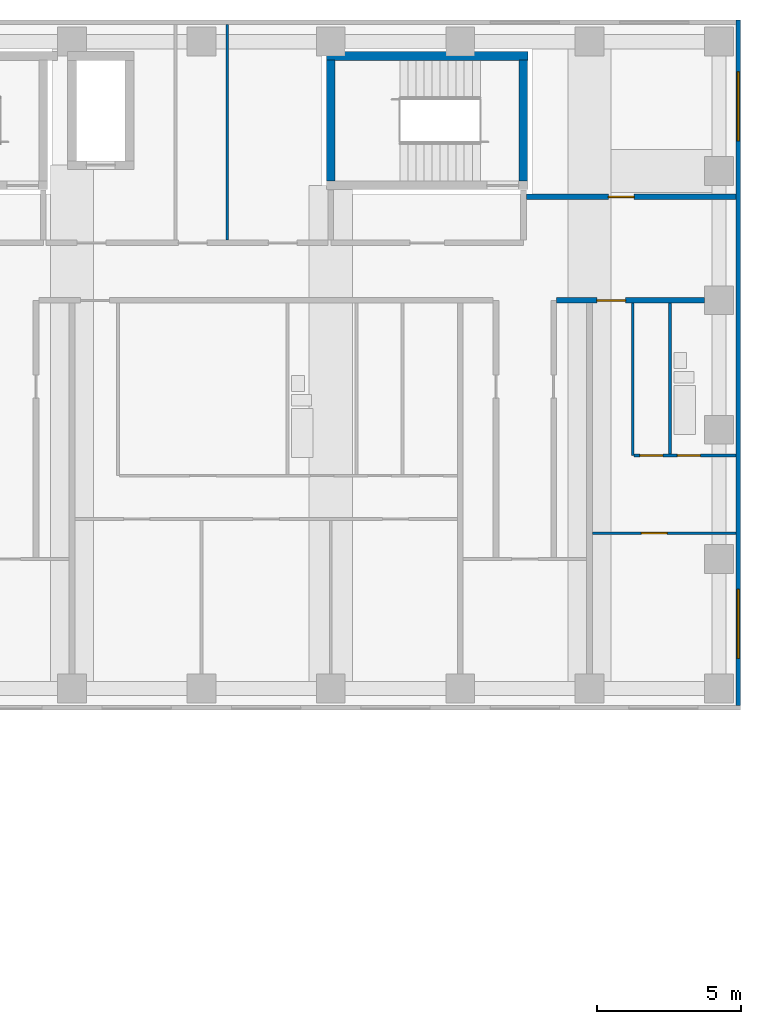
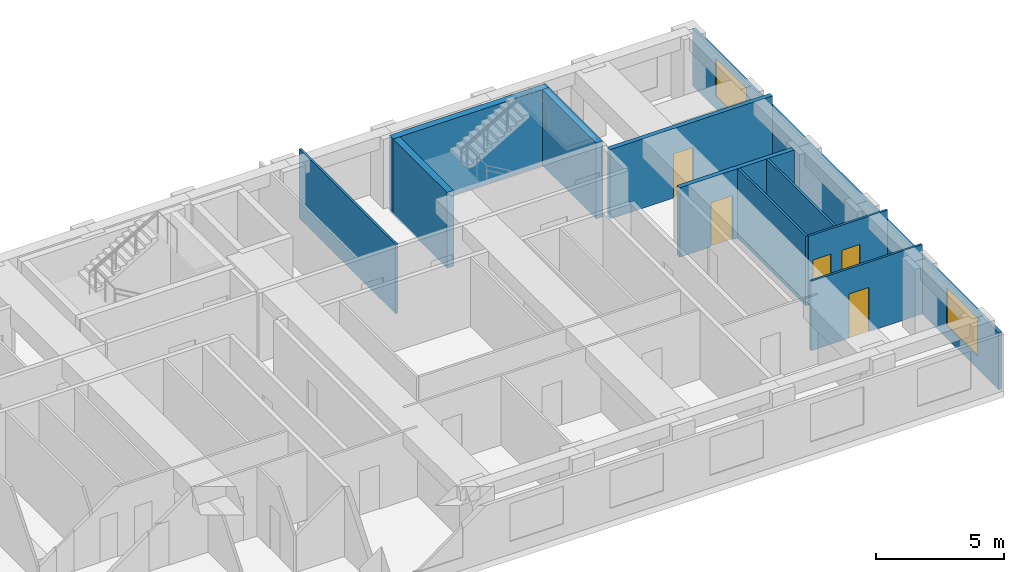
# One storey, part 9 of 12: 11 walls, 5 doors, 2 windows, 7 openings.
"""IFC4 building model written with IfcOpenShell, lengths in metres."""

from ifc_helpers import new_model, si_unit, direction, frame, frame_2d, origin, place, context, subcontext, project, spatial, rectangle, extrude, material, layer, layer_set, type_object, element, fill, save


model = new_model("IFC4")

# Units and contexts
model_context = context("Model", 3, precision=1e-05, world=origin(), true_north=direction((0.0, 1.0)))
body_context = subcontext(model_context, "Body", "Model", "MODEL_VIEW")
ifc_project = project(units=[si_unit("LENGTHUNIT", "METRE"), si_unit("AREAUNIT", "SQUARE_METRE"), si_unit("VOLUMEUNIT", "CUBIC_METRE"), si_unit("PLANEANGLEUNIT", "RADIAN"), si_unit("MASSUNIT", "GRAM", prefix="KILO")], contexts=[model_context])

# Site, building, storey
site_placement = place(None, origin())
site = spatial("IfcSite", under=ifc_project, at=site_placement, CompositionType="ELEMENT")
building_placement = place(site_placement, origin())
building = spatial("IfcBuilding", under=site, at=building_placement, Name="Firuza Court", CompositionType="ELEMENT")
storey_placement = place(building_placement, frame((0.0, 0.0, 155.60009765625)))
storey = spatial("IfcBuildingStorey", under=building, at=storey_placement, Name="L39", CompositionType="ELEMENT", Elevation=155.60009765625)

# Walls
ifc_material_1 = material(Name="Moisture-resistant gypsum board partition")
ifc_layer_1 = layer(ifc_material_1, 0.10009765625)
ifc_layer_set_1 = layer_set([ifc_layer_1], Name="Moisture-resistant gypsum board partition")
wall_type_1 = type_object("IfcWallType", Name="Bathroom partition 100", PredefinedType="PLUMBINGWALL", material=ifc_layer_set_1)
wall_1_placement = place(storey_placement, frame((65.800048828125, 44.14990234375, 0.0), z_axis=(0.0, 0.0, 1.0), x_axis=(0.0, 1.0, 0.0)))
element("IfcWall", 1, at=wall_1_placement, inside=storey, type_object=wall_type_1, Name="Bathroom partition 100 L39", PredefinedType="PLUMBINGWALL", context=body_context, shape_type="SweptSolid", body=[
    extrude(rectangle(XDim=5.25, YDim=0.10009765625, at=frame_2d((2.625, 0.0))), origin(), (0.0, 0.0, 1.0), 3.2998046875),
])
ifc_material_2 = material(Name="Concrete C60/75", Category="concrete")
ifc_layer_2 = layer(ifc_material_2, 0.300048828125)
ifc_layer_set_2 = layer_set([ifc_layer_2], Name="Concrete C60/75")
wall_type_2 = type_object("IfcWallType", Name="Core wall 300 C60/75", PredefinedType="SHEAR", material=ifc_layer_set_2)
wall_2_placement = place(storey_placement, frame((53.85009765625, 58.0, -0.300048828125), z_axis=(0.0, 0.0, 1.0), x_axis=(1.0, 0.0, 0.0)))
element("IfcWall", 2, at=wall_2_placement, inside=storey, type_object=wall_type_2, Name="Core wall stair L39", PredefinedType="SHEAR", context=body_context, shape_type="SweptSolid", body=[
    extrude(rectangle(XDim=7.0, YDim=0.300048828125, at=frame_2d((3.5, 0.0))), origin(), (0.0, 0.0, 1.0), 3.599853515625),
])
for number, where, z_axis, x_axis, name in (
    (3, (54.0, 53.64990234375, -0.300048828125), (0.0, 0.0, 1.0), (0.0, 1.0, 0.0), "Core wall stair L39"),
    (4, (60.699951171875, 53.64990234375, -0.300048828125), (0.0, 0.0, 1.0), (0.0, 1.0, 0.0), "Core wall stair L39"),
):
    element("IfcWall", number, at=place(storey_placement, frame(where, z_axis=z_axis, x_axis=x_axis)), inside=storey, type_object=wall_type_2, Name=name, PredefinedType="SHEAR", context=body_context, shape_type="SweptSolid", body=[
        extrude(rectangle(XDim=4.2001953125, YDim=0.300048828125, at=frame_2d((2.10009765625, 0.0))), origin(), (0.0, 0.0, 1.0), 3.599853515625),
    ])

# Wall, opening, door
ifc_material_3 = material(Name="Blockwork, plastered both sides", Category="masonry")
ifc_layer_3 = layer(ifc_material_3, 0.199951171875)
ifc_layer_set_3 = layer_set([ifc_layer_3], Name="Blockwork, plastered both sides")
wall_type_3 = type_object("IfcWallType", Name="Corridor wall 200", PredefinedType="PARTITIONING", material=ifc_layer_set_3)
wall_3_placement = place(storey_placement, frame((61.85009765625, 49.5, 0.0), z_axis=(0.0, 0.0, 1.0), x_axis=(1.0, 0.0, 0.0)))
wall_3 = element("IfcWall", 5, at=wall_3_placement, inside=storey, type_object=wall_type_3, Name="Corridor wall 200 L39", PredefinedType="PARTITIONING", context=body_context, shape_type="SweptSolid", body=[
    extrude(rectangle(XDim=5.14990234375, YDim=0.199951171875, at=frame_2d((2.574951171875, 0.0))), origin(), (0.0, 0.0, 1.0), 3.2998046875),
])
opening_1_placement = place(wall_3_placement, frame((1.39990234375, 0.0, 0.0)))
opening_1 = element("IfcOpeningElement", 6, at=opening_1_placement, cuts=wall_3, Name="Opening D39069", PredefinedType="OPENING", context=body_context, shape_type="SweptSolid", body=[
    extrude(rectangle(XDim=1.0, YDim=2.10009765625, at=frame_2d((0.5, 1.050048828125))), frame((0.0, 0.11181640625, 0.0), z_axis=(0.0, -1.0, 0.0), x_axis=(1.0, 0.0, 0.0)), (0.0, 0.0, 1.0), 0.223876953125),
])
ifc_material_4 = material(Name="Timber door leaf in hardwood frame", Category="wood")
door_type_1 = type_object("IfcDoorType", Name="Flat entrance door 1000", OperationType="SINGLE_SWING_LEFT", PredefinedType="DOOR", material=ifc_material_4)
door_1_placement = place(opening_1_placement, origin())
door_1 = element("IfcDoor", 7, at=door_1_placement, inside=storey, type_object=door_type_1, Name="Flat entrance door", OperationType="SINGLE_SWING_RIGHT", OverallHeight=2.10009765625, OverallWidth=1.0, PredefinedType="DOOR", context=body_context, shape_type="SweptSolid", body=[
    extrude(rectangle(XDim=1.0, YDim=2.10009765625, at=frame_2d((0.5, 1.050048828125))), frame((0.0, 0.02490234375, 0.0), z_axis=(0.0, -1.0, 0.0), x_axis=(1.0, 0.0, 0.0)), (0.0, 0.0, 1.0), 0.050048828125),
])
fill(opening_1, door_1)

wall_4_placement = place(storey_placement, frame((60.800048828125, 53.10009765625, 0.0), z_axis=(0.0, 0.0, 1.0), x_axis=(1.0, 0.0, 0.0)))
wall_4 = element("IfcWall", 8, at=wall_4_placement, inside=storey, type_object=wall_type_3, Name="Corridor wall 200 L39", PredefinedType="PARTITIONING", context=body_context, shape_type="SweptSolid", body=[
    extrude(rectangle(XDim=7.300048828125, YDim=0.199951171875, at=frame_2d((3.64990234375, 0.0))), origin(), (0.0, 0.0, 1.0), 3.2998046875),
])
opening_2_placement = place(wall_4_placement, frame((2.85009765625, 0.0, 0.0)))
opening_2 = element("IfcOpeningElement", 9, at=opening_2_placement, cuts=wall_4, Name="Opening D39079", PredefinedType="OPENING", context=body_context, shape_type="SweptSolid", body=[
    extrude(rectangle(XDim=0.89990234375, YDim=2.10009765625, at=frame_2d((0.449951171875, 1.050048828125))), frame((0.0, 0.11181640625, 0.0), z_axis=(0.0, -1.0, 0.0), x_axis=(1.0, 0.0, 0.0)), (0.0, 0.0, 1.0), 0.223876953125),
])
ifc_material_5 = material(Name="Timber door leaf in hardwood frame", Category="wood")
door_type_2 = type_object("IfcDoorType", Name="Room door 900 EI 30", OperationType="SINGLE_SWING_LEFT", PredefinedType="DOOR", material=ifc_material_5)
door_2_placement = place(opening_2_placement, origin())
door_2 = element("IfcDoor", 10, at=door_2_placement, inside=storey, type_object=door_type_2, Name="Residents' workroom door", OperationType="SINGLE_SWING_LEFT", OverallHeight=2.10009765625, OverallWidth=0.89990234375, PredefinedType="DOOR", context=body_context, shape_type="SweptSolid", body=[
    extrude(rectangle(XDim=0.89990234375, YDim=2.10009765625, at=frame_2d((0.449951171875, 1.050048828125))), frame((0.0, 0.02490234375, 0.0), z_axis=(0.0, -1.0, 0.0), x_axis=(1.0, 0.0, 0.0)), (0.0, 0.0, 1.0), 0.050048828125),
])
fill(opening_2, door_2)

ifc_material_6 = material(Name="Timber stud partition, plasterboard both sides", Category="wood")
ifc_layer_4 = layer(ifc_material_6, 0.10009765625)
ifc_layer_set_4 = layer_set([ifc_layer_4], Name="Timber stud partition, plasterboard both sides")
wall_type_4 = type_object("IfcWallType", Name="Partition wall 100", PredefinedType="PARTITIONING", material=ifc_layer_set_4)
wall_5_placement = place(storey_placement, frame((63.10009765625, 41.39990234375, 0.0), z_axis=(0.0, 0.0, 1.0), x_axis=(1.0, 0.0, 0.0)))
wall_5 = element("IfcWall", 11, at=wall_5_placement, inside=storey, type_object=wall_type_4, Name="Partition wall 100 L39", PredefinedType="PARTITIONING", context=body_context, shape_type="SweptSolid", body=[
    extrude(rectangle(XDim=5.0, YDim=0.10009765625, at=frame_2d((2.5, 0.0))), origin(), (0.0, 0.0, 1.0), 3.2998046875),
])
opening_3_placement = place(wall_5_placement, frame((1.699951171875, 0.0, 0.0)))
opening_3 = element("IfcOpeningElement", 12, at=opening_3_placement, cuts=wall_5, Name="Opening D39049", PredefinedType="OPENING", context=body_context, shape_type="SweptSolid", body=[
    extrude(rectangle(XDim=0.89990234375, YDim=2.10009765625, at=frame_2d((0.449951171875, 1.050048828125))), frame((0.0, 0.06201171875, 0.0), z_axis=(0.0, -1.0, 0.0), x_axis=(1.0, 0.0, 0.0)), (0.0, 0.0, 1.0), 0.1240234375),
])
ifc_material_7 = material(Name="Timber door leaf in hardwood frame", Category="wood")
door_type_3 = type_object("IfcDoorType", Name="Room door 900", OperationType="SINGLE_SWING_LEFT", PredefinedType="DOOR", material=ifc_material_7)
door_3_placement = place(opening_3_placement, frame((0.89990234375, 0.0, 0.0), z_axis=(0.0, 0.0, 1.0), x_axis=(-1.0, 0.0, 0.0)))
door_3 = element("IfcDoor", 13, at=door_3_placement, inside=storey, type_object=door_type_3, Name="Studio room door", OperationType="SINGLE_SWING_RIGHT", OverallHeight=2.10009765625, OverallWidth=0.89990234375, PredefinedType="DOOR", context=body_context, shape_type="SweptSolid", body=[
    extrude(rectangle(XDim=0.89990234375, YDim=2.10009765625, at=frame_2d((0.449951171875, 1.050048828125))), frame((0.0, 0.02490234375, 0.0), z_axis=(0.0, -1.0, 0.0), x_axis=(1.0, 0.0, 0.0)), (0.0, 0.0, 1.0), 0.050048828125),
])
fill(opening_3, door_3)

# Wall
wall_6_placement = place(storey_placement, frame((64.5, 44.10009765625, 0.0), z_axis=(0.0, 0.0, 1.0), x_axis=(0.0, 1.0, 0.0)))
element("IfcWall", 14, at=wall_6_placement, inside=storey, type_object=wall_type_4, Name="Partition wall 100 L39", PredefinedType="PARTITIONING", context=body_context, shape_type="SweptSolid", body=[
    extrude(rectangle(XDim=5.2998046875, YDim=0.10009765625, at=frame_2d((2.64990234375, 0.0))), origin(), (0.0, 0.0, 1.0), 3.2998046875),
])

# Wall, openings, doors
wall_7_placement = place(storey_placement, frame((64.550048828125, 44.10009765625, 0.0), z_axis=(0.0, 0.0, 1.0), x_axis=(1.0, 0.0, 0.0)))
wall_7 = element("IfcWall", 15, at=wall_7_placement, inside=storey, type_object=wall_type_4, Name="Partition wall 100 L39", PredefinedType="PARTITIONING", context=body_context, shape_type="SweptSolid", body=[
    extrude(rectangle(XDim=3.550048828125, YDim=0.10009765625, at=frame_2d((1.77490234375, 0.0))), origin(), (0.0, 0.0, 1.0), 3.2998046875),
])
opening_4_placement = place(wall_7_placement, frame((1.5, 0.0, 0.0)))
opening_4 = element("IfcOpeningElement", 16, at=opening_4_placement, cuts=wall_7, Name="Opening D39064", PredefinedType="OPENING", context=body_context, shape_type="SweptSolid", body=[
    extrude(rectangle(XDim=0.800048828125, YDim=2.10009765625, at=frame_2d((0.39990234375, 1.050048828125))), frame((0.0, 0.06201171875, 0.0), z_axis=(0.0, -1.0, 0.0), x_axis=(1.0, 0.0, 0.0)), (0.0, 0.0, 1.0), 0.1240234375),
])
opening_5_placement = place(wall_7_placement, frame((0.199951171875, 0.0, 0.0)))
opening_5 = element("IfcOpeningElement", 17, at=opening_5_placement, cuts=wall_7, Name="Opening D39065", PredefinedType="OPENING", context=body_context, shape_type="SweptSolid", body=[
    extrude(rectangle(XDim=0.800048828125, YDim=2.10009765625, at=frame_2d((0.39990234375, 1.050048828125))), frame((0.0, 0.06201171875, 0.0), z_axis=(0.0, -1.0, 0.0), x_axis=(1.0, 0.0, 0.0)), (0.0, 0.0, 1.0), 0.1240234375),
])
ifc_material_8 = material(Name="Timber door leaf in hardwood frame", Category="wood")
door_type_4 = type_object("IfcDoorType", Name="Bathroom door 800", OperationType="SINGLE_SWING_LEFT", PredefinedType="DOOR", material=ifc_material_8)
door_4_placement = place(opening_4_placement, origin())
door_4 = element("IfcDoor", 18, at=door_4_placement, inside=storey, type_object=door_type_4, Name="Bathroom door", OperationType="SINGLE_SWING_LEFT", OverallHeight=2.10009765625, OverallWidth=0.800048828125, PredefinedType="DOOR", context=body_context, shape_type="SweptSolid", body=[
    extrude(rectangle(XDim=0.800048828125, YDim=2.10009765625, at=frame_2d((0.39990234375, 1.050048828125))), frame((0.0, 0.02490234375, 0.0), z_axis=(0.0, -1.0, 0.0), x_axis=(1.0, 0.0, 0.0)), (0.0, 0.0, 1.0), 0.050048828125),
])
fill(opening_4, door_4)
ifc_material_9 = material(Name="Timber door leaf in hardwood frame", Category="wood")
door_type_5 = type_object("IfcDoorType", Name="Room door 800", OperationType="SINGLE_SWING_LEFT", PredefinedType="DOOR", material=ifc_material_9)
door_5_placement = place(opening_5_placement, origin())
door_5 = element("IfcDoor", 19, at=door_5_placement, inside=storey, type_object=door_type_5, Name="Kitchen door", OperationType="SINGLE_SWING_LEFT", OverallHeight=2.10009765625, OverallWidth=0.800048828125, PredefinedType="DOOR", context=body_context, shape_type="SweptSolid", body=[
    extrude(rectangle(XDim=0.800048828125, YDim=2.10009765625, at=frame_2d((0.39990234375, 1.050048828125))), frame((0.0, 0.02490234375, 0.0), z_axis=(0.0, -1.0, 0.0), x_axis=(1.0, 0.0, 0.0)), (0.0, 0.0, 1.0), 0.050048828125),
])
fill(opening_5, door_5)

# Wall
wall_8_placement = place(storey_placement, frame((50.39990234375, 51.60009765625, 0.0), z_axis=(0.0, 0.0, 1.0), x_axis=(0.0, 1.0, 0.0)))
element("IfcWall", 20, at=wall_8_placement, inside=storey, type_object=wall_type_4, Name="Partition wall 100 L39", PredefinedType="PARTITIONING", context=body_context, shape_type="SweptSolid", body=[
    extrude(rectangle(XDim=7.5, YDim=0.10009765625, at=frame_2d((3.75, 0.0))), origin(), (0.0, 0.0, 1.0), 3.2998046875),
])

# Wall, openings, windows
ifc_material_10 = material(Name="Ceramic tile", Category="ceramic")
ifc_layer_5 = layer(ifc_material_10, 0.02001953125)
ifc_material_11 = material(Name="Mineral wool insulation", Category="insulation")
ifc_layer_6 = layer(ifc_material_11, 0.050048828125)
ifc_material_12 = material(Name="Concrete C40/50 precast", Category="concrete")
ifc_layer_7 = layer(ifc_material_12, 0.080078125)
ifc_layer_set_5 = layer_set([ifc_layer_5, ifc_layer_6, ifc_layer_7], Name="Concrete C40/50 precast")
wall_type_5 = type_object("IfcWallType", Name="Precast cladding wall with turquoise TILE PANEL face 150", PredefinedType="STANDARD", material=ifc_layer_set_5)
wall_9_placement = place(storey_placement, frame((68.175048828125, 35.39990234375, 0.0), z_axis=(0.0, 0.0, 1.0), x_axis=(0.0, 1.0, 0.0)))
wall_9 = element("IfcWall", 21, at=wall_9_placement, inside=storey, type_object=wall_type_5, Name="Facade wall L39 E", PredefinedType="STANDARD", context=body_context, shape_type="SweptSolid", body=[
    extrude(rectangle(XDim=23.85009765625, YDim=0.14990234375, at=frame_2d((11.925048828125, 0.0))), origin(), (0.0, 0.0, 1.0), 2.699951171875),
])
opening_6_placement = place(wall_9_placement, frame((1.64990234375, 0.0, 0.60009765625)))
opening_6 = element("IfcOpeningElement", 22, at=opening_6_placement, cuts=wall_9, Name="Opening W1", PredefinedType="OPENING", context=body_context, shape_type="SweptSolid", body=[
    extrude(rectangle(XDim=2.39990234375, YDim=1.800048828125, at=frame_2d((1.199951171875, 0.89990234375))), frame((0.0, 0.0869140625, 0.0), z_axis=(0.0, -1.0, 0.0), x_axis=(1.0, 0.0, 0.0)), (0.0, 0.0, 1.0), 0.173828125),
])
opening_7_placement = place(wall_9_placement, frame((19.64990234375, 0.0, 0.60009765625)))
opening_7 = element("IfcOpeningElement", 23, at=opening_7_placement, cuts=wall_9, Name="Opening W1", PredefinedType="OPENING", context=body_context, shape_type="SweptSolid", body=[
    extrude(rectangle(XDim=2.39990234375, YDim=1.800048828125, at=frame_2d((1.199951171875, 0.89990234375))), frame((0.0, 0.0869140625, 0.0), z_axis=(0.0, -1.0, 0.0), x_axis=(1.0, 0.0, 0.0)), (0.0, 0.0, 1.0), 0.173828125),
])
ifc_material_13 = material(Name="Aluminium frame, triple clear glazing", Category="aluminium")
window_type = type_object("IfcWindowType", Name="Window W1 2400 x 1800", PartitioningType="SINGLE_PANEL", PredefinedType="WINDOW", material=ifc_material_13)
window_1_placement = place(opening_6_placement, origin())
window_1 = element("IfcWindow", 24, at=window_1_placement, inside=storey, type_object=window_type, Name="Window L39", OverallHeight=1.800048828125, OverallWidth=2.39990234375, PartitioningType="SINGLE_PANEL", PredefinedType="WINDOW", context=body_context, shape_type="SweptSolid", body=[
    extrude(rectangle(XDim=2.39990234375, YDim=1.800048828125, at=frame_2d((1.199951171875, 0.89990234375))), frame((0.0, 0.030029296875, 0.0), z_axis=(0.0, -1.0, 0.0), x_axis=(1.0, 0.0, 0.0)), (0.0, 0.0, 1.0), 0.06005859375),
])
fill(opening_6, window_1)
window_2_placement = place(opening_7_placement, origin())
window_2 = element("IfcWindow", 25, at=window_2_placement, inside=storey, type_object=window_type, Name="Window L39", OverallHeight=1.800048828125, OverallWidth=2.39990234375, PartitioningType="SINGLE_PANEL", PredefinedType="WINDOW", context=body_context, shape_type="SweptSolid", body=[
    extrude(rectangle(XDim=2.39990234375, YDim=1.800048828125, at=frame_2d((1.199951171875, 0.89990234375))), frame((0.0, 0.030029296875, 0.0), z_axis=(0.0, -1.0, 0.0), x_axis=(1.0, 0.0, 0.0)), (0.0, 0.0, 1.0), 0.06005859375),
])
fill(opening_7, window_2)

save(model, "model.ifc")
